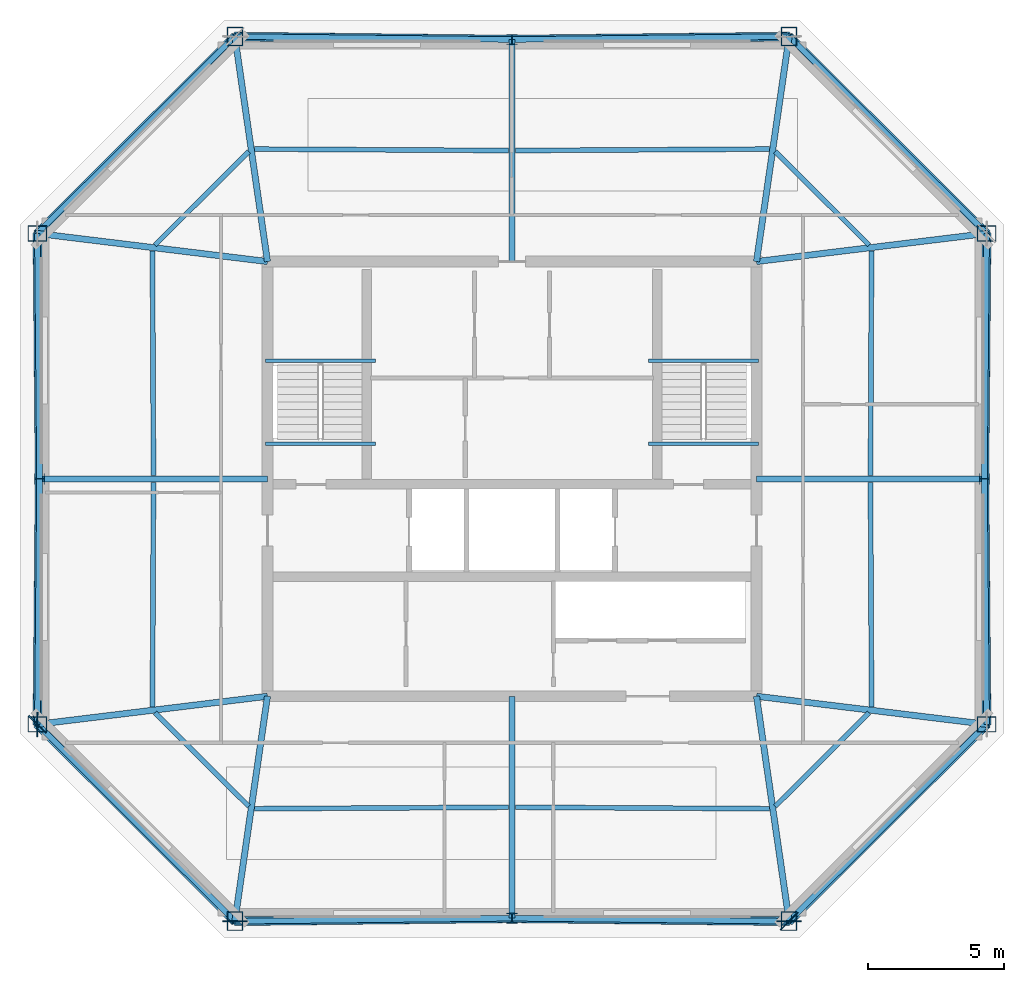
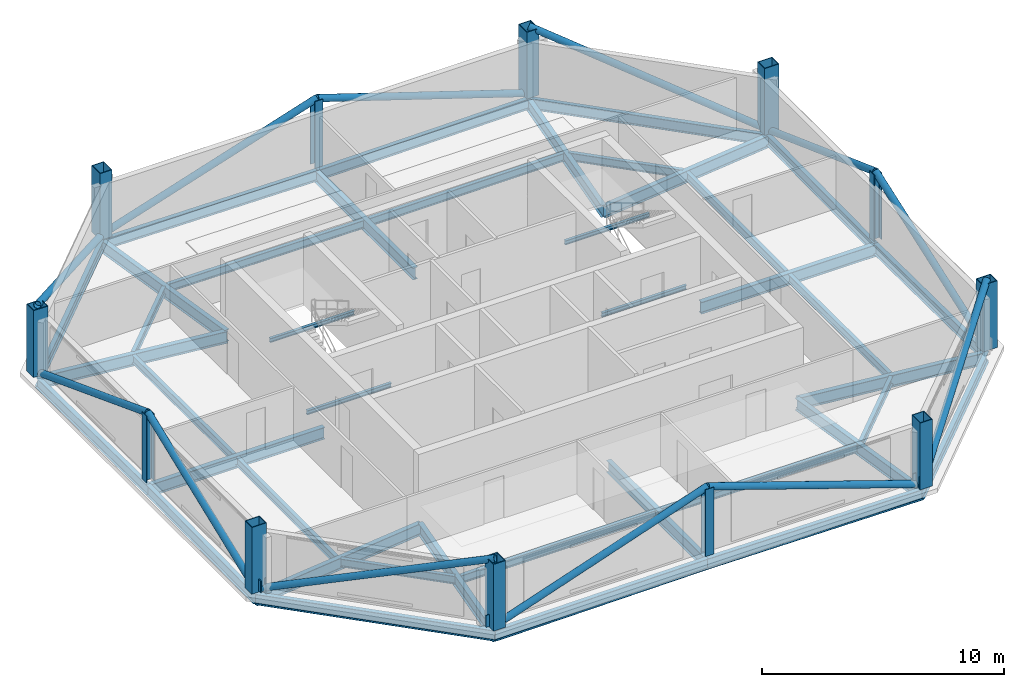
# One storey, part 1 of 5: 40 beams, 12 columns, 12 members, 5 plates.
"""IFC4 building model written with IfcOpenShell, lengths in metres."""

from ifc_helpers import new_model, si_unit, direction, frame, origin, origin_2d, place, context, subcontext, project, spatial, rectangle, hollow_rectangle, hollow_circle, i_section, extrude, material, layer, layer_set, material_profile, profile_set, type_object, element, save


model = new_model("IFC4")

# Units and contexts
model_context = context("Model", 3, precision=1e-05, world=origin(), true_north=direction((0.0, 1.0)))
body_context = subcontext(model_context, "Body", "Model", "MODEL_VIEW")
ifc_project = project(units=[si_unit("LENGTHUNIT", "METRE"), si_unit("AREAUNIT", "SQUARE_METRE"), si_unit("VOLUMEUNIT", "CUBIC_METRE"), si_unit("PLANEANGLEUNIT", "RADIAN"), si_unit("MASSUNIT", "GRAM", prefix="KILO")], contexts=[model_context])

# Site, building, storey
site_placement = place(None, origin())
site = spatial("IfcSite", under=ifc_project, at=site_placement, CompositionType="ELEMENT")
building_placement = place(site_placement, origin())
building = spatial("IfcBuilding", under=site, at=building_placement, Name="Caelvoria Tower", CompositionType="ELEMENT")
storey_placement = place(building_placement, frame((0.0, 0.0, 271.800048828125)))
storey = spatial("IfcBuildingStorey", under=building, at=storey_placement, Name="L72", CompositionType="ELEMENT", Elevation=271.800048828125)

# Columns
ifc_material_1 = material(Name="Structural Steel ASTM A572 Gr.50", Category="steel")
ifc_material_profile_1 = material_profile(ifc_material_1, hollow_rectangle(XDim=0.580078125, YDim=0.699951171875, WallThickness=0.031982421875, at=origin_2d()), Name="Structural Steel ASTM A572 Gr.50")
ifc_profile_set_1 = profile_set([ifc_material_profile_1], Name="BOX700X580X32 - Structural Steel ASTM A572 Gr.50")
column_type_1 = type_object("IfcColumnType", Name="Mega Box Column 700x580x32", PredefinedType="COLUMN", material=ifc_profile_set_1)
for number, where, z_axis, x_axis, name in (
    (1, (35.80029296875, 15.71923828125, 0.0), (0.0, 0.0, 1.0), (1.0, 0.0, 0.0), "Perimeter Megaframe Column L72-P00"),
    (2, (56.19970703125, 15.71923828125, 0.0), (0.0, 0.0, 1.0), (1.0, 0.0, 0.0), "Perimeter Megaframe Column L72-P02"),
    (3, (63.469482421875, 22.967041015625, 0.0), (0.0, 0.0, 1.0), (0.0, 1.0, 0.0), "Perimeter Megaframe Column L72-P03"),
    (4, (63.469482421875, 41.032958984375, 0.0), (0.0, 0.0, 1.0), (0.0, 1.0, 0.0), "Perimeter Megaframe Column L72-P05"),
    (5, (56.19970703125, 48.28076171875, 0.0), (0.0, 0.0, 1.0), (1.0, 0.0, 0.0), "Perimeter Megaframe Column L72-P06"),
    (6, (35.80029296875, 48.28076171875, 0.0), (0.0, 0.0, 1.0), (1.0, 0.0, 0.0), "Perimeter Megaframe Column L72-P08"),
    (7, (28.530517578125, 41.032958984375, 0.0), (0.0, 0.0, 1.0), (0.0, 1.0, 0.0), "Perimeter Megaframe Column L72-P09"),
    (8, (28.530517578125, 22.967041015625, 0.0), (0.0, 0.0, 1.0), (0.0, 1.0, 0.0), "Perimeter Megaframe Column L72-P11"),
):
    element("IfcColumn", number, at=place(storey_placement, frame(where, z_axis=z_axis, x_axis=x_axis)), inside=storey, type_object=column_type_1, Name=name, PredefinedType="COLUMN", context=body_context, shape_type="SweptSolid", body=[
        extrude(hollow_rectangle(XDim=0.580078125, YDim=0.699951171875, WallThickness=0.031982421875, at=origin_2d()), origin(), (0.0, 0.0, 1.0), 3.373046875),
    ])
ifc_material_2 = material(Name="Structural Steel ASTM A992 Gr.50", Category="steel")
ifc_material_profile_2 = material_profile(ifc_material_2, i_section(OverallWidth=0.39501953125, OverallDepth=0.3798828125, WebThickness=0.018798828125, FlangeThickness=0.0302734375, FilletRadius=0.02490234375, at=origin_2d()), Name="Structural Steel ASTM A992 Gr.50")
ifc_profile_set_2 = profile_set([ifc_material_profile_2], Name="W360X237 - Structural Steel ASTM A992 Gr.50")
column_type_2 = type_object("IfcColumnType", Name="Summit Frame Column W360X237", PredefinedType="COLUMN", material=ifc_profile_set_2)
for number, where, z_axis, x_axis, name in (
    (9, (46.0, 15.8291015625, 0.0), (0.0, 0.0, 1.0), (1.0, 0.0, 0.0), "Perimeter Megaframe Column L72-P01"),
    (10, (63.38916015625, 32.0, 0.0), (0.0, 0.0, 1.0), (0.0, 1.0, 0.0), "Perimeter Megaframe Column L72-P04"),
    (11, (46.0, 48.1708984375, 0.0), (0.0, 0.0, 1.0), (1.0, 0.0, 0.0), "Perimeter Megaframe Column L72-P07"),
    (12, (28.61083984375, 32.0, 0.0), (0.0, 0.0, 1.0), (0.0, 1.0, 0.0), "Perimeter Megaframe Column L72-P10"),
):
    element("IfcColumn", number, at=place(storey_placement, frame(where, z_axis=z_axis, x_axis=x_axis)), inside=storey, type_object=column_type_2, Name=name, PredefinedType="COLUMN", context=body_context, shape_type="SweptSolid", body=[
        extrude(i_section(OverallWidth=0.39501953125, OverallDepth=0.3798828125, WebThickness=0.018798828125, FlangeThickness=0.0302734375, FilletRadius=0.02490234375, at=origin_2d()), origin(), (0.0, 0.0, 1.0), 3.373046875),
    ])

# Beams
ifc_material_profile_3 = material_profile(ifc_material_2, i_section(OverallWidth=0.134033203125, OverallDepth=0.2099609375, WebThickness=0.00634765625, FlangeThickness=0.01025390625, FilletRadius=0.010009765625, at=origin_2d()), Name="Structural Steel ASTM A992 Gr.50")
ifc_profile_set_3 = profile_set([ifc_material_profile_3], Name="W200X31.3 - Structural Steel ASTM A992 Gr.50")
beam_type_1 = type_object("IfcBeamType", Name="Canopy Edge Trim Beam W200X31.3", PredefinedType="BEAM", material=ifc_profile_set_3)
for number, where, z_axis, x_axis, name in (
    (13, (36.929931640625, 36.35009765625, 1.494873046875), (1.0, 0.0, 0.0), (0.0, 1.0, 0.0), "ST-01 Half-Landing Support Beam L72"),
    (14, (36.929931640625, 33.300048828125, -0.304931640625), (1.0, 0.0, 0.0), (0.0, 1.0, 0.0), "ST-01 Floor-Landing Support Beam L72"),
    (15, (51.030029296875, 36.35009765625, 1.494873046875), (1.0, 0.0, 0.0), (0.0, 1.0, 0.0), "ST-02 Half-Landing Support Beam L72"),
    (16, (51.030029296875, 33.300048828125, -0.304931640625), (1.0, 0.0, 0.0), (0.0, 1.0, 0.0), "ST-02 Floor-Landing Support Beam L72"),
):
    element("IfcBeam", number, at=place(storey_placement, frame(where, z_axis=z_axis, x_axis=x_axis)), inside=storey, type_object=beam_type_1, Name=name, PredefinedType="BEAM", context=body_context, shape_type="SweptSolid", body=[
        extrude(i_section(OverallWidth=0.134033203125, OverallDepth=0.2099609375, WebThickness=0.00634765625, FlangeThickness=0.01025390625, FilletRadius=0.010009765625, at=origin_2d()), origin(), (0.0, 0.0, 1.0), 4.0400390625),
    ])
ifc_material_profile_4 = material_profile(ifc_material_2, i_section(OverallWidth=0.22802734375, OverallDepth=0.60302734375, WebThickness=0.010498046875, FlangeThickness=0.014892578125, FilletRadius=0.01806640625, at=origin_2d()), Name="Structural Steel ASTM A992 Gr.50")
ifc_profile_set_4 = profile_set([ifc_material_profile_4], Name="W610X101 - Structural Steel ASTM A992 Gr.50")
beam_type_2 = type_object("IfcBeamType", Name="Primary Floor Girder W610X101", PredefinedType="BEAM", material=ifc_profile_set_4)
beam_1_placement = place(storey_placement, frame((37.0, 24.0, -0.526611328125), z_axis=(-0.143381856354, -0.989667440744, 0.0), x_axis=(0.989667440744, -0.143381856354, 0.0)))
element("IfcBeam", 17, at=beam_1_placement, inside=storey, type_object=beam_type_2, Name="Primary Floor Girder L72-00", PredefinedType="BEAM", context=body_context, shape_type="SweptSolid", body=[
    extrude(i_section(OverallWidth=0.22802734375, OverallDepth=0.60302734375, WebThickness=0.010498046875, FlangeThickness=0.014892578125, FilletRadius=0.01806640625, at=origin_2d()), origin(), (0.0, 0.0, 1.0), 8.3671875),
])
beam_2_placement = place(storey_placement, frame((46.0, 24.0, -0.526611328125), z_axis=(0.0, -1.0, 0.0), x_axis=(1.0, 0.0, 0.0)))
element("IfcBeam", 18, at=beam_2_placement, inside=storey, type_object=beam_type_2, Name="Primary Floor Girder L72-01", PredefinedType="BEAM", context=body_context, shape_type="SweptSolid", body=[
    extrude(i_section(OverallWidth=0.22802734375, OverallDepth=0.60302734375, WebThickness=0.010498046875, FlangeThickness=0.014892578125, FilletRadius=0.01806640625, at=origin_2d()), origin(), (0.0, 0.0, 1.0), 8.1708984375),
])
beam_3_placement = place(storey_placement, frame((55.0, 24.0, -0.526611328125), z_axis=(0.143381856354, -0.989667440744, 0.0), x_axis=(0.989667440744, 0.143381856354, 0.0)))
element("IfcBeam", 19, at=beam_3_placement, inside=storey, type_object=beam_type_2, Name="Primary Floor Girder L72-02", PredefinedType="BEAM", context=body_context, shape_type="SweptSolid", body=[
    extrude(i_section(OverallWidth=0.22802734375, OverallDepth=0.60302734375, WebThickness=0.010498046875, FlangeThickness=0.014892578125, FilletRadius=0.01806640625, at=origin_2d()), origin(), (0.0, 0.0, 1.0), 8.3671875),
])
beam_4_placement = place(storey_placement, frame((55.0, 24.0, -0.526611328125), z_axis=(0.992644535689, -0.121065378066, 0.0), x_axis=(0.121065378066, 0.992644535689, 0.0)))
element("IfcBeam", 20, at=beam_4_placement, inside=storey, type_object=beam_type_2, Name="Primary Floor Girder L72-03", PredefinedType="BEAM", context=body_context, shape_type="SweptSolid", body=[
    extrude(i_section(OverallWidth=0.22802734375, OverallDepth=0.60302734375, WebThickness=0.010498046875, FlangeThickness=0.014892578125, FilletRadius=0.01806640625, at=origin_2d()), origin(), (0.0, 0.0, 1.0), 8.5322265625),
])
beam_5_placement = place(storey_placement, frame((55.0, 32.0, -0.526611328125), z_axis=(1.0, 0.0, 0.0), x_axis=(0.0, 1.0, 0.0)))
element("IfcBeam", 21, at=beam_5_placement, inside=storey, type_object=beam_type_2, Name="Primary Floor Girder L72-04", PredefinedType="BEAM", context=body_context, shape_type="SweptSolid", body=[
    extrude(i_section(OverallWidth=0.22802734375, OverallDepth=0.60302734375, WebThickness=0.010498046875, FlangeThickness=0.014892578125, FilletRadius=0.01806640625, at=origin_2d()), origin(), (0.0, 0.0, 1.0), 8.38916015625),
])
beam_6_placement = place(storey_placement, frame((55.0, 40.0, -0.526611328125), z_axis=(0.992644535689, 0.121065378066, 0.0), x_axis=(-0.121065378066, 0.992644535689, 0.0)))
element("IfcBeam", 22, at=beam_6_placement, inside=storey, type_object=beam_type_2, Name="Primary Floor Girder L72-05", PredefinedType="BEAM", context=body_context, shape_type="SweptSolid", body=[
    extrude(i_section(OverallWidth=0.22802734375, OverallDepth=0.60302734375, WebThickness=0.010498046875, FlangeThickness=0.014892578125, FilletRadius=0.01806640625, at=origin_2d()), origin(), (0.0, 0.0, 1.0), 8.5322265625),
])
beam_7_placement = place(storey_placement, frame((55.0, 40.0, -0.526611328125), z_axis=(0.143381856354, 0.989667440744, 0.0), x_axis=(-0.989667440744, 0.143381856354, 0.0)))
element("IfcBeam", 23, at=beam_7_placement, inside=storey, type_object=beam_type_2, Name="Primary Floor Girder L72-06", PredefinedType="BEAM", context=body_context, shape_type="SweptSolid", body=[
    extrude(i_section(OverallWidth=0.22802734375, OverallDepth=0.60302734375, WebThickness=0.010498046875, FlangeThickness=0.014892578125, FilletRadius=0.01806640625, at=origin_2d()), origin(), (0.0, 0.0, 1.0), 8.3671875),
])
beam_8_placement = place(storey_placement, frame((46.0, 40.0, -0.526611328125), z_axis=(0.0, 1.0, 0.0), x_axis=(-1.0, 0.0, 0.0)))
element("IfcBeam", 24, at=beam_8_placement, inside=storey, type_object=beam_type_2, Name="Primary Floor Girder L72-07", PredefinedType="BEAM", context=body_context, shape_type="SweptSolid", body=[
    extrude(i_section(OverallWidth=0.22802734375, OverallDepth=0.60302734375, WebThickness=0.010498046875, FlangeThickness=0.014892578125, FilletRadius=0.01806640625, at=origin_2d()), origin(), (0.0, 0.0, 1.0), 8.1708984375),
])
beam_9_placement = place(storey_placement, frame((37.0, 40.0, -0.526611328125), z_axis=(-0.143381856354, 0.989667440744, 0.0), x_axis=(-0.989667440744, -0.143381856354, 0.0)))
element("IfcBeam", 25, at=beam_9_placement, inside=storey, type_object=beam_type_2, Name="Primary Floor Girder L72-08", PredefinedType="BEAM", context=body_context, shape_type="SweptSolid", body=[
    extrude(i_section(OverallWidth=0.22802734375, OverallDepth=0.60302734375, WebThickness=0.010498046875, FlangeThickness=0.014892578125, FilletRadius=0.01806640625, at=origin_2d()), origin(), (0.0, 0.0, 1.0), 8.3671875),
])
beam_10_placement = place(storey_placement, frame((37.0, 40.0, -0.526611328125), z_axis=(-0.992644535689, 0.121065378066, 0.0), x_axis=(-0.121065378066, -0.992644535689, 0.0)))
element("IfcBeam", 26, at=beam_10_placement, inside=storey, type_object=beam_type_2, Name="Primary Floor Girder L72-09", PredefinedType="BEAM", context=body_context, shape_type="SweptSolid", body=[
    extrude(i_section(OverallWidth=0.22802734375, OverallDepth=0.60302734375, WebThickness=0.010498046875, FlangeThickness=0.014892578125, FilletRadius=0.01806640625, at=origin_2d()), origin(), (0.0, 0.0, 1.0), 8.5322265625),
])
beam_11_placement = place(storey_placement, frame((37.0, 32.0, -0.526611328125), z_axis=(-1.0, 0.0, 0.0), x_axis=(0.0, -1.0, 0.0)))
element("IfcBeam", 27, at=beam_11_placement, inside=storey, type_object=beam_type_2, Name="Primary Floor Girder L72-10", PredefinedType="BEAM", context=body_context, shape_type="SweptSolid", body=[
    extrude(i_section(OverallWidth=0.22802734375, OverallDepth=0.60302734375, WebThickness=0.010498046875, FlangeThickness=0.014892578125, FilletRadius=0.01806640625, at=origin_2d()), origin(), (0.0, 0.0, 1.0), 8.38916015625),
])
beam_12_placement = place(storey_placement, frame((37.0, 24.0, -0.526611328125), z_axis=(-0.992644535689, -0.121065378066, 0.0), x_axis=(0.121065378066, -0.992644535689, 0.0)))
element("IfcBeam", 28, at=beam_12_placement, inside=storey, type_object=beam_type_2, Name="Primary Floor Girder L72-11", PredefinedType="BEAM", context=body_context, shape_type="SweptSolid", body=[
    extrude(i_section(OverallWidth=0.22802734375, OverallDepth=0.60302734375, WebThickness=0.010498046875, FlangeThickness=0.014892578125, FilletRadius=0.01806640625, at=origin_2d()), origin(), (0.0, 0.0, 1.0), 8.5322265625),
])
ifc_material_profile_5 = material_profile(ifc_material_2, i_section(OverallWidth=0.177978515625, OverallDepth=0.406982421875, WebThickness=0.0078125, FlangeThickness=0.0126953125, FilletRadius=0.013916015625, at=origin_2d()), Name="Structural Steel ASTM A992 Gr.50")
ifc_profile_set_5 = profile_set([ifc_material_profile_5], Name="W410X60 - Structural Steel ASTM A992 Gr.50")
beam_type_3 = type_object("IfcBeamType", Name="Secondary Floor Beam W410X60", PredefinedType="BEAM", material=ifc_profile_set_5)
for number, where, z_axis, x_axis, name in (
    (29, (36.525146484375, 19.8603515625, -0.428466796875), (0.999983649988, 0.00571837009, 0.0), (-0.00571837009, 0.999983649988, 0.0), "Secondary Floor Beam L72-00"),
    (30, (46.125, 19.913818359375, -0.428466796875), (0.999983649988, -0.00571837009, 0.0), (0.00571837009, 0.999983649988, 0.0), "Secondary Floor Beam L72-01"),
):
    element("IfcBeam", number, at=place(storey_placement, frame(where, z_axis=z_axis, x_axis=x_axis)), inside=storey, type_object=beam_type_3, Name=name, PredefinedType="BEAM", context=body_context, shape_type="SweptSolid", body=[
        extrude(i_section(OverallWidth=0.177978515625, OverallDepth=0.406982421875, WebThickness=0.0078125, FlangeThickness=0.0126953125, FilletRadius=0.013916015625, at=origin_2d()), origin(), (0.0, 0.0, 1.0), 9.35009765625),
    ])
beam_13_placement = place(storey_placement, frame((55.688232421875, 19.947998046875, -0.428466796875), z_axis=(0.708205934791, 0.706005916354, 0.0), x_axis=(-0.706005916354, 0.708205934791, 0.0)))
element("IfcBeam", 31, at=beam_13_placement, inside=storey, type_object=beam_type_3, Name="Secondary Floor Beam L72-02", PredefinedType="BEAM", context=body_context, shape_type="SweptSolid", body=[
    extrude(i_section(OverallWidth=0.177978515625, OverallDepth=0.406982421875, WebThickness=0.0078125, FlangeThickness=0.0126953125, FilletRadius=0.013916015625, at=origin_2d()), origin(), (0.0, 0.0, 1.0), 4.8828125),
])
for number, where, z_axis, x_axis, name in (
    (32, (59.234130859375, 23.608642578125, -0.428466796875), (-0.004725426434, 0.99998883511, 0.0), (-0.99998883511, -0.004725426434, 0.0), "Secondary Floor Beam L72-03"),
    (33, (59.195068359375, 32.125, -0.428466796875), (0.004725426434, 0.99998883511, 0.0), (-0.99998883511, 0.004725426434, 0.0), "Secondary Floor Beam L72-04"),
):
    element("IfcBeam", number, at=place(storey_placement, frame(where, z_axis=z_axis, x_axis=x_axis)), inside=storey, type_object=beam_type_3, Name=name, PredefinedType="BEAM", context=body_context, shape_type="SweptSolid", body=[
        extrude(i_section(OverallWidth=0.177978515625, OverallDepth=0.406982421875, WebThickness=0.0078125, FlangeThickness=0.0126953125, FilletRadius=0.013916015625, at=origin_2d()), origin(), (0.0, 0.0, 1.0), 8.266357421875),
    ])
beam_14_placement = place(storey_placement, frame((59.146240234375, 40.604736328125, -0.428466796875), z_axis=(-0.708205934791, 0.706005916354, 0.0), x_axis=(-0.706005916354, -0.708205934791, 0.0)))
element("IfcBeam", 34, at=beam_14_placement, inside=storey, type_object=beam_type_3, Name="Secondary Floor Beam L72-05", PredefinedType="BEAM", context=body_context, shape_type="SweptSolid", body=[
    extrude(i_section(OverallWidth=0.177978515625, OverallDepth=0.406982421875, WebThickness=0.0078125, FlangeThickness=0.0126953125, FilletRadius=0.013916015625, at=origin_2d()), origin(), (0.0, 0.0, 1.0), 4.8828125),
])
for number, where, z_axis, x_axis, name in (
    (35, (55.474853515625, 44.1396484375, -0.428466796875), (-0.999983649988, -0.00571837009, 0.0), (0.00571837009, -0.999983649988, 0.0), "Secondary Floor Beam L72-06"),
    (36, (45.875, 44.086181640625, -0.428466796875), (-0.999983649988, 0.00571837009, 0.0), (-0.00571837009, -0.999983649988, 0.0), "Secondary Floor Beam L72-07"),
):
    element("IfcBeam", number, at=place(storey_placement, frame(where, z_axis=z_axis, x_axis=x_axis)), inside=storey, type_object=beam_type_3, Name=name, PredefinedType="BEAM", context=body_context, shape_type="SweptSolid", body=[
        extrude(i_section(OverallWidth=0.177978515625, OverallDepth=0.406982421875, WebThickness=0.0078125, FlangeThickness=0.0126953125, FilletRadius=0.013916015625, at=origin_2d()), origin(), (0.0, 0.0, 1.0), 9.35009765625),
    ])
beam_15_placement = place(storey_placement, frame((36.311767578125, 44.052001953125, -0.428466796875), z_axis=(-0.708205934791, -0.706005916354, 0.0), x_axis=(0.706005916354, -0.708205934791, 0.0)))
element("IfcBeam", 37, at=beam_15_placement, inside=storey, type_object=beam_type_3, Name="Secondary Floor Beam L72-08", PredefinedType="BEAM", context=body_context, shape_type="SweptSolid", body=[
    extrude(i_section(OverallWidth=0.177978515625, OverallDepth=0.406982421875, WebThickness=0.0078125, FlangeThickness=0.0126953125, FilletRadius=0.013916015625, at=origin_2d()), origin(), (0.0, 0.0, 1.0), 4.8828125),
])
for number, where, z_axis, x_axis, name in (
    (38, (32.765869140625, 40.391357421875, -0.428466796875), (0.004725426434, -0.99998883511, 0.0), (0.99998883511, 0.004725426434, 0.0), "Secondary Floor Beam L72-09"),
    (39, (32.804931640625, 31.875, -0.428466796875), (-0.004725426434, -0.99998883511, 0.0), (0.99998883511, -0.004725426434, 0.0), "Secondary Floor Beam L72-10"),
):
    element("IfcBeam", number, at=place(storey_placement, frame(where, z_axis=z_axis, x_axis=x_axis)), inside=storey, type_object=beam_type_3, Name=name, PredefinedType="BEAM", context=body_context, shape_type="SweptSolid", body=[
        extrude(i_section(OverallWidth=0.177978515625, OverallDepth=0.406982421875, WebThickness=0.0078125, FlangeThickness=0.0126953125, FilletRadius=0.013916015625, at=origin_2d()), origin(), (0.0, 0.0, 1.0), 8.266357421875),
    ])
beam_16_placement = place(storey_placement, frame((32.853759765625, 23.395263671875, -0.428466796875), z_axis=(0.708205934791, -0.706005916354, 0.0), x_axis=(0.706005916354, 0.708205934791, 0.0)))
element("IfcBeam", 40, at=beam_16_placement, inside=storey, type_object=beam_type_3, Name="Secondary Floor Beam L72-11", PredefinedType="BEAM", context=body_context, shape_type="SweptSolid", body=[
    extrude(i_section(OverallWidth=0.177978515625, OverallDepth=0.406982421875, WebThickness=0.0078125, FlangeThickness=0.0126953125, FilletRadius=0.013916015625, at=origin_2d()), origin(), (0.0, 0.0, 1.0), 4.8828125),
])

# Members
ifc_material_profile_6 = material_profile(ifc_material_1, hollow_circle(Radius=0.162109375, WallThickness=0.0126953125, at=origin_2d()), Name="Structural Steel ASTM A572 Gr.50")
ifc_profile_set_6 = profile_set([ifc_material_profile_6], Name="CHS324X12.7 - Structural Steel ASTM A572 Gr.50")
member_type = type_object("IfcMemberType", Name="Summit Perimeter Mega Brace CHS324X12.7", PredefinedType="BRACE", material=ifc_profile_set_6)
for number, where, z_axis, x_axis, name in (
    (41, (56.19970703125, 15.71923828125, 0.0), (0.672749947148, 0.67071658263, 0.312324789918), (-0.706035751702, 0.708176190872, 0.0), "Perimeter Chamfer Mega Brace L72 SE"),
    (42, (63.469482421875, 41.032958984375, 0.0), (-0.672749947148, 0.67071658263, 0.312324789918), (-0.706035751702, -0.708176190872, 0.0), "Perimeter Chamfer Mega Brace L72 NE"),
    (43, (35.80029296875, 48.28076171875, 0.0), (-0.672749947148, -0.67071658263, 0.312324789918), (0.706035751702, -0.708176190872, 0.0), "Perimeter Chamfer Mega Brace L72 NW"),
    (44, (28.530517578125, 22.967041015625, 0.0), (0.672749947148, -0.67071658263, 0.312324789918), (0.706035751702, 0.708176190872, 0.0), "Perimeter Chamfer Mega Brace L72 SW"),
):
    element("IfcMember", number, at=place(storey_placement, frame(where, z_axis=z_axis, x_axis=x_axis)), inside=storey, type_object=member_type, Name=name, PredefinedType="BRACE", context=body_context, shape_type="SweptSolid", body=[
        extrude(hollow_circle(Radius=0.162109375, WallThickness=0.0126953125, at=origin_2d()), origin(), (0.0, 0.0, 1.0), 10.80615234375),
    ])
for number, where, z_axis, x_axis, name in (
    (45, (35.80029296875, 15.71923828125, 0.0), (0.949326734261, 0.010225406444, 0.31412448596), (-0.010770594522, 0.999941995465, 0.0), "Perimeter Cardinal Mega Brace L72 SA"),
    (46, (56.19970703125, 15.71923828125, 0.0), (-0.949326734261, 0.010225406444, 0.31412448596), (-0.010770594522, -0.999941995465, 0.0), "Perimeter Cardinal Mega Brace L72 SB"),
):
    element("IfcMember", number, at=place(storey_placement, frame(where, z_axis=z_axis, x_axis=x_axis)), inside=storey, type_object=member_type, Name=name, PredefinedType="BRACE", context=body_context, shape_type="SweptSolid", body=[
        extrude(hollow_circle(Radius=0.162109375, WallThickness=0.0126953125, at=origin_2d()), origin(), (0.0, 0.0, 1.0), 10.744140625),
    ])
for number, where, z_axis, x_axis, name in (
    (47, (63.469482421875, 22.967041015625, 0.0), (-0.008329414974, 0.936717400023, 0.349987333115), (-0.999960467337, -0.00889178069, 0.0), "Perimeter Cardinal Mega Brace L72 EA"),
    (48, (63.469482421875, 41.032958984375, 0.0), (-0.008329414974, -0.936717400023, 0.349987333115), (0.999960467337, -0.00889178069, 0.0), "Perimeter Cardinal Mega Brace L72 EB"),
):
    element("IfcMember", number, at=place(storey_placement, frame(where, z_axis=z_axis, x_axis=x_axis)), inside=storey, type_object=member_type, Name=name, PredefinedType="BRACE", context=body_context, shape_type="SweptSolid", body=[
        extrude(hollow_circle(Radius=0.162109375, WallThickness=0.0126953125, at=origin_2d()), origin(), (0.0, 0.0, 1.0), 9.643310546875),
    ])
for number, where, z_axis, x_axis, name in (
    (49, (56.19970703125, 48.28076171875, 0.0), (-0.949326734261, -0.010225406444, 0.31412448596), (0.010770594522, -0.999941995465, 0.0), "Perimeter Cardinal Mega Brace L72 NA"),
    (50, (35.80029296875, 48.28076171875, 0.0), (0.949326734261, -0.010225406444, 0.31412448596), (0.010770594522, 0.999941995465, 0.0), "Perimeter Cardinal Mega Brace L72 NB"),
):
    element("IfcMember", number, at=place(storey_placement, frame(where, z_axis=z_axis, x_axis=x_axis)), inside=storey, type_object=member_type, Name=name, PredefinedType="BRACE", context=body_context, shape_type="SweptSolid", body=[
        extrude(hollow_circle(Radius=0.162109375, WallThickness=0.0126953125, at=origin_2d()), origin(), (0.0, 0.0, 1.0), 10.744140625),
    ])
for number, where, z_axis, x_axis, name in (
    (51, (28.530517578125, 41.032958984375, 0.0), (0.008329414974, -0.936717400023, 0.349987333115), (0.999960467337, 0.00889178069, 0.0), "Perimeter Cardinal Mega Brace L72 WA"),
    (52, (28.530517578125, 22.967041015625, 0.0), (0.008329414974, 0.936717400023, 0.349987333115), (-0.999960467337, 0.00889178069, 0.0), "Perimeter Cardinal Mega Brace L72 WB"),
):
    element("IfcMember", number, at=place(storey_placement, frame(where, z_axis=z_axis, x_axis=x_axis)), inside=storey, type_object=member_type, Name=name, PredefinedType="BRACE", context=body_context, shape_type="SweptSolid", body=[
        extrude(hollow_circle(Radius=0.162109375, WallThickness=0.0126953125, at=origin_2d()), origin(), (0.0, 0.0, 1.0), 9.643310546875),
    ])

# Beams
ifc_material_profile_7 = material_profile(ifc_material_2, i_section(OverallWidth=0.208984375, OverallDepth=0.532958984375, WebThickness=0.01025390625, FlangeThickness=0.015625, FilletRadius=0.01611328125, at=origin_2d()), Name="Structural Steel ASTM A992 Gr.50")
ifc_profile_set_7 = profile_set([ifc_material_profile_7], Name="W530X92 - Structural Steel ASTM A992 Gr.50")
beam_type_4 = type_object("IfcBeamType", Name="Upper Zone Spandrel W530X92", PredefinedType="BEAM", material=ifc_profile_set_7)
for number, where, z_axis, x_axis, name in (
    (53, (35.80029296875, 15.71923828125, -0.491455078125), (0.999941995465, 0.010770594522, 0.0), (-0.010770594522, 0.999941995465, 0.0), "Perimeter Spandrel Girder L72-00"),
    (54, (46.0, 15.8291015625, -0.491455078125), (0.999941995465, -0.010770594522, 0.0), (0.010770594522, 0.999941995465, 0.0), "Perimeter Spandrel Girder L72-01"),
):
    element("IfcBeam", number, at=place(storey_placement, frame(where, z_axis=z_axis, x_axis=x_axis)), inside=storey, type_object=beam_type_4, Name=name, PredefinedType="BEAM", context=body_context, shape_type="SweptSolid", body=[
        extrude(i_section(OverallWidth=0.208984375, OverallDepth=0.532958984375, WebThickness=0.01025390625, FlangeThickness=0.015625, FilletRadius=0.01611328125, at=origin_2d()), origin(), (0.0, 0.0, 1.0), 10.2001953125),
    ])
beam_17_placement = place(storey_placement, frame((56.19970703125, 15.71923828125, -0.491455078125), z_axis=(0.708176190872, 0.706035751702, 0.0), x_axis=(-0.706035751702, 0.708176190872, 0.0)))
element("IfcBeam", 55, at=beam_17_placement, inside=storey, type_object=beam_type_4, Name="Perimeter Spandrel Girder L72-02", PredefinedType="BEAM", context=body_context, shape_type="SweptSolid", body=[
    extrude(i_section(OverallWidth=0.208984375, OverallDepth=0.532958984375, WebThickness=0.01025390625, FlangeThickness=0.015625, FilletRadius=0.01611328125, at=origin_2d()), origin(), (0.0, 0.0, 1.0), 10.265380859375),
])
for number, where, z_axis, x_axis, name in (
    (56, (63.469482421875, 22.967041015625, -0.491455078125), (-0.00889178069, 0.999960467337, 0.0), (-0.999960467337, -0.00889178069, 0.0), "Perimeter Spandrel Girder L72-03"),
    (57, (63.38916015625, 32.0, -0.491455078125), (0.00889178069, 0.999960467337, 0.0), (-0.999960467337, 0.00889178069, 0.0), "Perimeter Spandrel Girder L72-04"),
):
    element("IfcBeam", number, at=place(storey_placement, frame(where, z_axis=z_axis, x_axis=x_axis)), inside=storey, type_object=beam_type_4, Name=name, PredefinedType="BEAM", context=body_context, shape_type="SweptSolid", body=[
        extrude(i_section(OverallWidth=0.208984375, OverallDepth=0.532958984375, WebThickness=0.01025390625, FlangeThickness=0.015625, FilletRadius=0.01611328125, at=origin_2d()), origin(), (0.0, 0.0, 1.0), 9.033203125),
    ])
beam_18_placement = place(storey_placement, frame((63.469482421875, 41.032958984375, -0.491455078125), z_axis=(-0.708176190872, 0.706035751702, 0.0), x_axis=(-0.706035751702, -0.708176190872, 0.0)))
element("IfcBeam", 58, at=beam_18_placement, inside=storey, type_object=beam_type_4, Name="Perimeter Spandrel Girder L72-05", PredefinedType="BEAM", context=body_context, shape_type="SweptSolid", body=[
    extrude(i_section(OverallWidth=0.208984375, OverallDepth=0.532958984375, WebThickness=0.01025390625, FlangeThickness=0.015625, FilletRadius=0.01611328125, at=origin_2d()), origin(), (0.0, 0.0, 1.0), 10.265380859375),
])
for number, where, z_axis, x_axis, name in (
    (59, (56.19970703125, 48.28076171875, -0.491455078125), (-0.999941995465, -0.010770594522, 0.0), (0.010770594522, -0.999941995465, 0.0), "Perimeter Spandrel Girder L72-06"),
    (60, (46.0, 48.1708984375, -0.491455078125), (-0.999941995465, 0.010770594522, 0.0), (-0.010770594522, -0.999941995465, 0.0), "Perimeter Spandrel Girder L72-07"),
):
    element("IfcBeam", number, at=place(storey_placement, frame(where, z_axis=z_axis, x_axis=x_axis)), inside=storey, type_object=beam_type_4, Name=name, PredefinedType="BEAM", context=body_context, shape_type="SweptSolid", body=[
        extrude(i_section(OverallWidth=0.208984375, OverallDepth=0.532958984375, WebThickness=0.01025390625, FlangeThickness=0.015625, FilletRadius=0.01611328125, at=origin_2d()), origin(), (0.0, 0.0, 1.0), 10.2001953125),
    ])
beam_19_placement = place(storey_placement, frame((35.80029296875, 48.28076171875, -0.491455078125), z_axis=(-0.708176190872, -0.706035751702, 0.0), x_axis=(0.706035751702, -0.708176190872, 0.0)))
element("IfcBeam", 61, at=beam_19_placement, inside=storey, type_object=beam_type_4, Name="Perimeter Spandrel Girder L72-08", PredefinedType="BEAM", context=body_context, shape_type="SweptSolid", body=[
    extrude(i_section(OverallWidth=0.208984375, OverallDepth=0.532958984375, WebThickness=0.01025390625, FlangeThickness=0.015625, FilletRadius=0.01611328125, at=origin_2d()), origin(), (0.0, 0.0, 1.0), 10.265380859375),
])
for number, where, z_axis, x_axis, name in (
    (62, (28.530517578125, 41.032958984375, -0.491455078125), (0.00889178069, -0.999960467337, 0.0), (0.999960467337, 0.00889178069, 0.0), "Perimeter Spandrel Girder L72-09"),
    (63, (28.61083984375, 32.0, -0.491455078125), (-0.00889178069, -0.999960467337, 0.0), (0.999960467337, -0.00889178069, 0.0), "Perimeter Spandrel Girder L72-10"),
):
    element("IfcBeam", number, at=place(storey_placement, frame(where, z_axis=z_axis, x_axis=x_axis)), inside=storey, type_object=beam_type_4, Name=name, PredefinedType="BEAM", context=body_context, shape_type="SweptSolid", body=[
        extrude(i_section(OverallWidth=0.208984375, OverallDepth=0.532958984375, WebThickness=0.01025390625, FlangeThickness=0.015625, FilletRadius=0.01611328125, at=origin_2d()), origin(), (0.0, 0.0, 1.0), 9.033203125),
    ])
beam_20_placement = place(storey_placement, frame((28.530517578125, 22.967041015625, -0.491455078125), z_axis=(0.708176190872, -0.706035751702, 0.0), x_axis=(0.706035751702, 0.708176190872, 0.0)))
element("IfcBeam", 64, at=beam_20_placement, inside=storey, type_object=beam_type_4, Name="Perimeter Spandrel Girder L72-11", PredefinedType="BEAM", context=body_context, shape_type="SweptSolid", body=[
    extrude(i_section(OverallWidth=0.208984375, OverallDepth=0.532958984375, WebThickness=0.01025390625, FlangeThickness=0.015625, FilletRadius=0.01611328125, at=origin_2d()), origin(), (0.0, 0.0, 1.0), 10.265380859375),
])

# Plates
ifc_layer = layer(ifc_material_1, 0.0400390625, Name="Structural Steel ASTM A572 Gr.50")
ifc_layer_set = layer_set([ifc_layer], Name="Megaframe Node Gusset Plate 900x600x40 - Structural Steel ASTM A572 Gr.50")
plate_type = type_object("IfcPlateType", Name="Megaframe Node Gusset Plate 900x600x40", PredefinedType="USERDEFINED", material=ifc_layer_set)
for number, where, z_axis, x_axis, name in (
    (65, (56.19970703125, 15.71923828125, 0.02001953125), (0.0, 0.0, 1.0), (0.708182126827, 0.706029797701, 0.0), "Chamfer Mega Brace Gusset L72 SE"),
    (66, (28.530517578125, 22.967041015625, 0.02001953125), (0.0, 0.0, 1.0), (0.708182126827, -0.706029797701, 0.0), "Chamfer Mega Brace Gusset L72 SW"),
    (67, (35.80029296875, 15.71923828125, 0.0498046875), (0.0, 0.0, 1.0), (0.999942055893, 0.010764982899, 0.0), "Megaframe Node Gusset Plate ND-01"),
    (68, (56.19970703125, 15.71923828125, 0.0498046875), (0.0, 0.0, 1.0), (-0.999942055893, 0.010764982899, 0.0), "Megaframe Node Gusset Plate ND-01"),
    (69, (28.530517578125, 22.967041015625, 0.0498046875), (0.0, 0.0, 1.0), (0.008901061644, 0.999960384766, 0.0), "Megaframe Node Gusset Plate ND-01"),
):
    element("IfcPlate", number, at=place(storey_placement, frame(where, z_axis=z_axis, x_axis=x_axis)), inside=storey, type_object=plate_type, Name=name, ObjectType="GUSSET_PLATE", PredefinedType="USERDEFINED", context=body_context, shape_type="SweptSolid", body=[
        extrude(rectangle(XDim=0.89990234375, YDim=0.0400390625, at=origin_2d()), origin(), (0.0, 0.0, 1.0), 0.60009765625),
    ])

save(model, "model.ifc")
